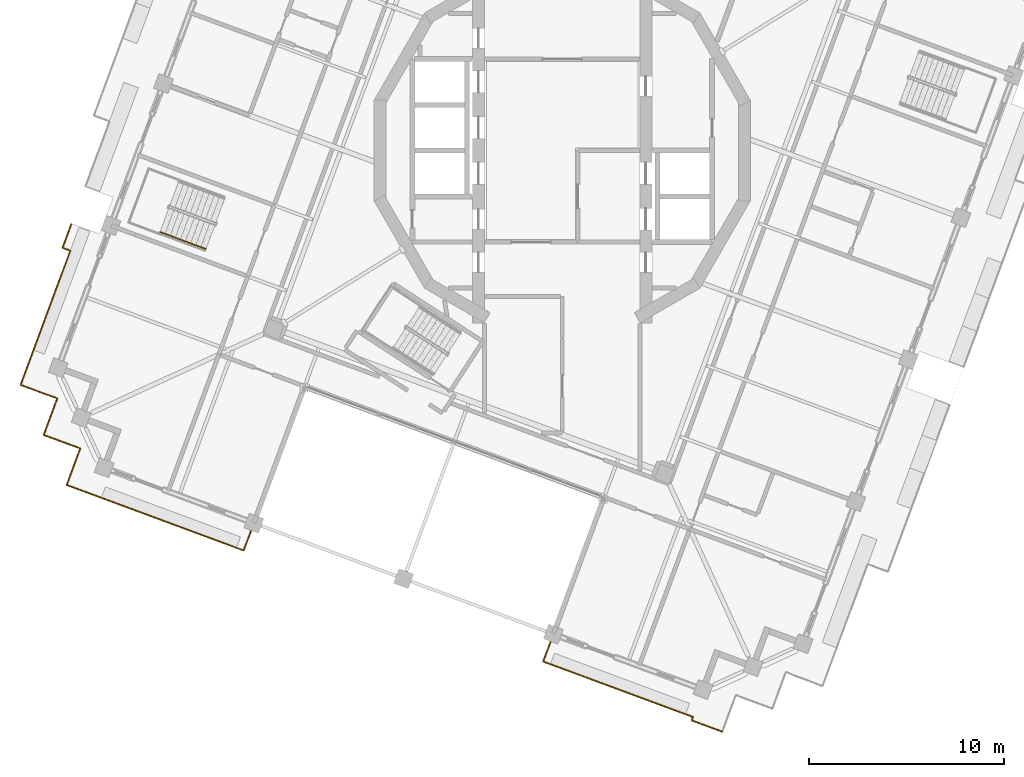
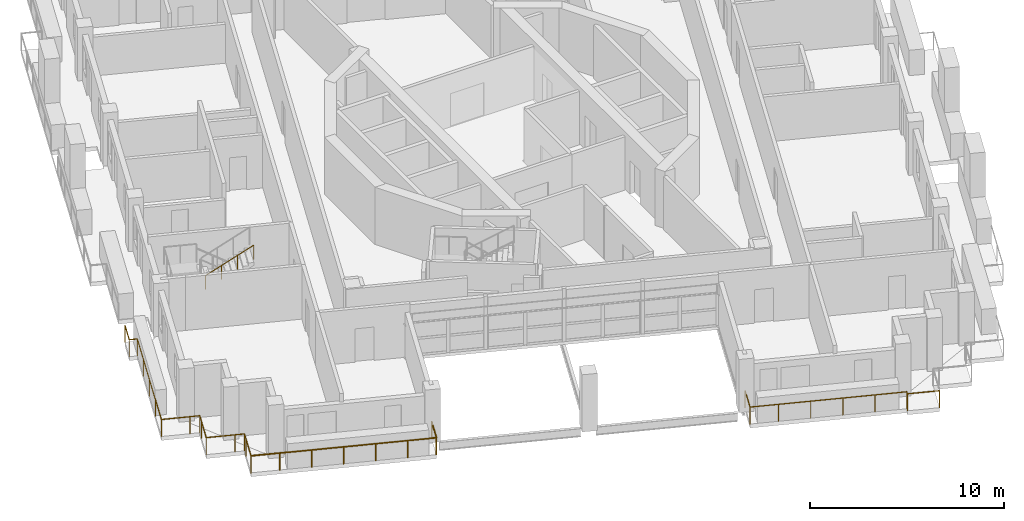
# One storey, part 13 of 19: 4 railings.
"""IFC4 building model written with IfcOpenShell, lengths in metres."""

from ifc_helpers import new_model, si_unit, direction, frame, origin, origin_2d, place, context, subcontext, project, spatial, circle, extrude, material, type_object, element, save


model = new_model("IFC4")

# Units and contexts
model_context = context("Model", 3, precision=1e-05, world=origin(), true_north=direction((0.0, 1.0)))
body_context = subcontext(model_context, "Body", "Model", "MODEL_VIEW")
ifc_project = project(units=[si_unit("LENGTHUNIT", "METRE"), si_unit("AREAUNIT", "SQUARE_METRE"), si_unit("VOLUMEUNIT", "CUBIC_METRE"), si_unit("PLANEANGLEUNIT", "RADIAN"), si_unit("MASSUNIT", "GRAM", prefix="KILO")], contexts=[model_context])

# Site, building, storey
site_placement = place(None, origin())
site = spatial("IfcSite", under=ifc_project, at=site_placement, CompositionType="ELEMENT")
building_placement = place(site_placement, origin())
building = spatial("IfcBuilding", under=site, at=building_placement, Name="Cantera Rosa Tower", CompositionType="ELEMENT")
storey_placement = place(building_placement, frame((0.0, 0.0, 324.10009765625)))
storey = spatial("IfcBuildingStorey", under=building, at=storey_placement, Name="L72", CompositionType="ELEMENT", Elevation=324.10009765625)

# Railings
ifc_material_1 = material(Name="Stainless steel and laminated glass", Category="steel")
railing_type_1 = type_object("IfcRailingType", Name="GUARD 1100", PredefinedType="BALUSTRADE", material=ifc_material_1)
railing_1_placement = place(storey_placement, frame((-25.454345703125, -17.17529296875, 0.0)))
element("IfcRailing", 1, at=railing_1_placement, inside=storey, type_object=railing_type_1, Name="GUARD L72-1", PredefinedType="BALUSTRADE", context=body_context, shape_type="SweptSolid", body=[
    extrude(circle(Radius=0.030029296875, at=origin_2d()), frame((0.0, 0.0, 1.070068359375), z_axis=(0.347499887537, 0.937680024402, 0.0), x_axis=(-0.937680024402, 0.347499887537, 0.0)), (0.0, 0.0, 1.0), 1.5),
    extrude(circle(Radius=0.030029296875, at=origin_2d()), frame((0.521240234375, 1.406494140625, 1.070068359375), z_axis=(0.347696042931, 0.937607306781, 0.0), x_axis=(-0.937607306781, 0.347696042931, 0.0)), (0.0, 0.0, 1.0), 0.5),
    extrude(circle(Radius=0.030029296875, at=origin_2d()), frame((0.695068359375, 1.875244140625, 1.070068359375), z_axis=(-0.937607306781, 0.347696042931, 0.0), x_axis=(-0.347696042931, -0.937607306781, 0.0)), (0.0, 0.0, 1.0), 0.5),
    extrude(circle(Radius=0.030029296875, at=origin_2d()), frame((0.226318359375, 2.049072265625, 1.070068359375), z_axis=(-0.93769967459, 0.347446859641, 0.0), x_axis=(-0.347446859641, -0.93769967459, 0.0)), (0.0, 0.0, 1.0), 1.500244140625),
    extrude(circle(Radius=0.030029296875, at=origin_2d()), frame((-1.180419921875, 2.5703125, 1.070068359375), z_axis=(0.347499887537, 0.937680024402, 0.0), x_axis=(-0.937680024402, 0.347499887537, 0.0)), (0.0, 0.0, 1.0), 1.5),
    extrude(circle(Radius=0.030029296875, at=origin_2d()), frame((-0.6591796875, 3.976806640625, 1.070068359375), z_axis=(0.347696042931, 0.937607306781, 0.0), x_axis=(-0.937607306781, 0.347696042931, 0.0)), (0.0, 0.0, 1.0), 0.5),
    extrude(circle(Radius=0.030029296875, at=origin_2d()), frame((-0.4853515625, 4.445556640625, 1.070068359375), z_axis=(-0.937607306781, 0.347696042931, 0.0), x_axis=(-0.347696042931, -0.937607306781, 0.0)), (0.0, 0.0, 1.0), 0.5),
    extrude(circle(Radius=0.030029296875, at=origin_2d()), frame((-0.9541015625, 4.619384765625, 1.070068359375), z_axis=(-0.378632845721, -0.925546956206, 0.0), x_axis=(0.925546956206, -0.378632845721, 0.0)), (0.0, 0.0, 1.0), 0.005859375),
    extrude(circle(Radius=0.030029296875, at=origin_2d()), frame((-0.956298828125, 4.614013671875, 1.070068359375), z_axis=(-0.937688112969, 0.347478060884, 0.0), x_axis=(-0.347478060884, -0.937688112969, 0.0)), (0.0, 0.0, 1.0), 1.505615234375),
    extrude(circle(Radius=0.030029296875, at=origin_2d()), frame((-2.3681640625, 5.13720703125, 1.070068359375), z_axis=(0.347491761562, 0.93768303581, 0.0), x_axis=(-0.93768303581, 0.347491761562, 0.0)), (0.0, 0.0, 1.0), 7.350341796875),
    extrude(circle(Radius=0.030029296875, at=origin_2d()), frame((0.18603515625, 12.029541015625, 1.070068359375), z_axis=(-0.937584149048, 0.347758484374, 0.0), x_axis=(-0.347758484374, -0.937584149048, 0.0)), (0.0, 0.0, 1.0), 0.4296875),
    extrude(circle(Radius=0.030029296875, at=origin_2d()), frame((-0.216796875, 12.178955078125, 1.070068359375), z_axis=(0.347533658579, 0.937667508318, 0.0), x_axis=(-0.937667508318, 0.347533658579, 0.0)), (0.0, 0.0, 1.0), 1.30517578125),
    extrude(circle(Radius=0.02490234375, at=origin_2d()), origin(), (0.0, 0.0, 1.0), 1.0400390625),
    extrude(circle(Radius=0.02490234375, at=origin_2d()), frame((0.521240234375, 1.406494140625, 0.0)), (0.0, 0.0, 1.0), 1.0400390625),
    extrude(circle(Radius=0.02490234375, at=origin_2d()), frame((0.695068359375, 1.875244140625, 0.0)), (0.0, 0.0, 1.0), 1.0400390625),
    extrude(circle(Radius=0.02490234375, at=origin_2d()), frame((0.226318359375, 2.049072265625, 0.0)), (0.0, 0.0, 1.0), 1.0400390625),
    extrude(circle(Radius=0.02490234375, at=origin_2d()), frame((-1.180419921875, 2.5703125, 0.0)), (0.0, 0.0, 1.0), 1.0400390625),
    extrude(circle(Radius=0.02490234375, at=origin_2d()), frame((-0.6591796875, 3.976806640625, 0.0)), (0.0, 0.0, 1.0), 1.0400390625),
    extrude(circle(Radius=0.02490234375, at=origin_2d()), frame((-0.4853515625, 4.445556640625, 0.0)), (0.0, 0.0, 1.0), 1.0400390625),
    extrude(circle(Radius=0.02490234375, at=origin_2d()), frame((-0.9541015625, 4.619384765625, 0.0)), (0.0, 0.0, 1.0), 1.0400390625),
    extrude(circle(Radius=0.02490234375, at=origin_2d()), frame((-0.956298828125, 4.614013671875, 0.0)), (0.0, 0.0, 1.0), 1.0400390625),
    extrude(circle(Radius=0.02490234375, at=origin_2d()), frame((-2.3681640625, 5.13720703125, 0.0)), (0.0, 0.0, 1.0), 1.0400390625),
    extrude(circle(Radius=0.02490234375, at=origin_2d()), frame((-1.7294921875, 6.8603515625, 0.0)), (0.0, 0.0, 1.0), 1.0400390625),
    extrude(circle(Radius=0.02490234375, at=origin_2d()), frame((-1.091064453125, 8.58349609375, 0.0)), (0.0, 0.0, 1.0), 1.0400390625),
    extrude(circle(Radius=0.02490234375, at=origin_2d()), frame((-0.45263671875, 10.306396484375, 0.0)), (0.0, 0.0, 1.0), 1.0400390625),
    extrude(circle(Radius=0.02490234375, at=origin_2d()), frame((0.18603515625, 12.029541015625, 0.0)), (0.0, 0.0, 1.0), 1.0400390625),
    extrude(circle(Radius=0.02490234375, at=origin_2d()), frame((-0.216796875, 12.178955078125, 0.0)), (0.0, 0.0, 1.0), 1.0400390625),
    extrude(circle(Radius=0.02490234375, at=origin_2d()), frame((0.23681640625, 13.40283203125, 0.0)), (0.0, 0.0, 1.0), 1.0400390625),
])
railing_2_placement = place(storey_placement, frame((-15.844482421875, -19.158203125, 0.0)))
element("IfcRailing", 2, at=railing_2_placement, inside=storey, type_object=railing_type_1, Name="GUARD L72-2", PredefinedType="BALUSTRADE", context=body_context, shape_type="SweptSolid", body=[
    extrude(circle(Radius=0.030029296875, at=origin_2d()), frame((0.0, 0.0, 1.070068359375), z_axis=(-0.347432560301, -0.937704972815, 0.0), x_axis=(0.937704972815, -0.347432560301, 0.0)), (0.0, 0.0, 1.0), 1.47998046875),
    extrude(circle(Radius=0.030029296875, at=origin_2d()), frame((-0.51416015625, -1.3876953125, 1.070068359375), z_axis=(-0.937680024402, 0.347499887537, 0.0), x_axis=(-0.347499887537, -0.937680024402, 0.0)), (0.0, 0.0, 1.0), 1.5),
    extrude(circle(Radius=0.030029296875, at=origin_2d()), frame((-1.920654296875, -0.866455078125, 1.070068359375), z_axis=(-0.937686328856, 0.347482875373, 0.0), x_axis=(-0.347482875373, -0.937686328856, 0.0)), (0.0, 0.0, 1.0), 6.699951171875),
    extrude(circle(Radius=0.030029296875, at=origin_2d()), frame((-8.203125, 1.461669921875, 1.070068359375), z_axis=(-0.93769967459, 0.347446859641, 0.0), x_axis=(-0.347446859641, -0.93769967459, 0.0)), (0.0, 0.0, 1.0), 1.500244140625),
    extrude(circle(Radius=0.02490234375, at=origin_2d()), origin(), (0.0, 0.0, 1.0), 1.0400390625),
    extrude(circle(Radius=0.02490234375, at=origin_2d()), frame((-0.51416015625, -1.3876953125, 0.0)), (0.0, 0.0, 1.0), 1.0400390625),
    extrude(circle(Radius=0.02490234375, at=origin_2d()), frame((-1.920654296875, -0.866455078125, 0.0)), (0.0, 0.0, 1.0), 1.0400390625),
    extrude(circle(Radius=0.02490234375, at=origin_2d()), frame((-3.4912109375, -0.284423828125, 0.0)), (0.0, 0.0, 1.0), 1.0400390625),
    extrude(circle(Radius=0.02490234375, at=origin_2d()), frame((-5.06201171875, 0.297607421875, 0.0)), (0.0, 0.0, 1.0), 1.0400390625),
    extrude(circle(Radius=0.02490234375, at=origin_2d()), frame((-6.632568359375, 0.879638671875, 0.0)), (0.0, 0.0, 1.0), 1.0400390625),
    extrude(circle(Radius=0.02490234375, at=origin_2d()), frame((-8.203125, 1.461669921875, 0.0)), (0.0, 0.0, 1.0), 1.0400390625),
    extrude(circle(Radius=0.02490234375, at=origin_2d()), frame((-9.60986328125, 1.98291015625, 0.0)), (0.0, 0.0, 1.0), 1.0400390625),
])
railing_3_placement = place(storey_placement, frame((8.225341796875, -29.85546875, 0.0)))
element("IfcRailing", 3, at=railing_3_placement, inside=storey, type_object=railing_type_1, Name="GUARD L72-5", PredefinedType="BALUSTRADE", context=body_context, shape_type="SweptSolid", body=[
    extrude(circle(Radius=0.030029296875, at=origin_2d()), frame((0.0, 0.0, 1.070068359375), z_axis=(-0.937684149969, 0.347488755066, 0.0), x_axis=(-0.347488755066, -0.937684149969, 0.0)), (0.0, 0.0, 1.0), 1.68701171875),
    extrude(circle(Radius=0.030029296875, at=origin_2d()), frame((-1.581787109375, 0.586181640625, 1.070068359375), z_axis=(0.347399426404, 0.937717248713, 0.0), x_axis=(-0.937717248713, 0.347399426404, 0.0)), (0.0, 0.0, 1.0), 0.18701171875),
    extrude(circle(Radius=0.030029296875, at=origin_2d()), frame((-1.516845703125, 0.761474609375, 1.070068359375), z_axis=(-0.937686328856, 0.347482875373, 0.0), x_axis=(-0.347482875373, -0.937686328856, 0.0)), (0.0, 0.0, 1.0), 6.699951171875),
    extrude(circle(Radius=0.030029296875, at=origin_2d()), frame((-7.79931640625, 3.089599609375, 1.070068359375), z_axis=(-0.93769967459, 0.347446859641, 0.0), x_axis=(-0.347446859641, -0.93769967459, 0.0)), (0.0, 0.0, 1.0), 1.500244140625),
    extrude(circle(Radius=0.030029296875, at=origin_2d()), frame((-9.2060546875, 3.61083984375, 1.070068359375), z_axis=(0.347577606798, 0.937651218339, 0.0), x_axis=(-0.937651218339, 0.347577606798, 0.0)), (0.0, 0.0, 1.0), 1.47998046875),
    extrude(circle(Radius=0.02490234375, at=origin_2d()), origin(), (0.0, 0.0, 1.0), 1.0400390625),
    extrude(circle(Radius=0.02490234375, at=origin_2d()), frame((-1.581787109375, 0.586181640625, 0.0)), (0.0, 0.0, 1.0), 1.0400390625),
    extrude(circle(Radius=0.02490234375, at=origin_2d()), frame((-1.516845703125, 0.761474609375, 0.0)), (0.0, 0.0, 1.0), 1.0400390625),
    extrude(circle(Radius=0.02490234375, at=origin_2d()), frame((-3.08740234375, 1.343505859375, 0.0)), (0.0, 0.0, 1.0), 1.0400390625),
    extrude(circle(Radius=0.02490234375, at=origin_2d()), frame((-4.658203125, 1.925537109375, 0.0)), (0.0, 0.0, 1.0), 1.0400390625),
    extrude(circle(Radius=0.02490234375, at=origin_2d()), frame((-6.228759765625, 2.507568359375, 0.0)), (0.0, 0.0, 1.0), 1.0400390625),
    extrude(circle(Radius=0.02490234375, at=origin_2d()), frame((-7.79931640625, 3.089599609375, 0.0)), (0.0, 0.0, 1.0), 1.0400390625),
    extrude(circle(Radius=0.02490234375, at=origin_2d()), frame((-9.2060546875, 3.61083984375, 0.0)), (0.0, 0.0, 1.0), 1.0400390625),
    extrude(circle(Radius=0.02490234375, at=origin_2d()), frame((-8.691650390625, 4.99853515625, 0.0)), (0.0, 0.0, 1.0), 1.0400390625),
])
ifc_material_2 = material(Name="Steel S355J2 (EN 10025-2)", Category="steel")
railing_type_2 = type_object("IfcRailingType", Name="STAIR HANDRAIL 900", PredefinedType="HANDRAIL", material=ifc_material_2)
railing_4_placement = place(storey_placement, frame((-20.660400390625, -4.181396484375, 1.97998046875)))
element("IfcRailing", 4, at=railing_4_placement, inside=storey, type_object=railing_type_2, Name="L72 ST-63 stair handrail 2", PredefinedType="HANDRAIL", context=body_context, shape_type="SweptSolid", body=[
    extrude(circle(Radius=0.02392578125, at=origin_2d()), frame((0.0, 0.0, 0.8759765625), z_axis=(0.78878233546, -0.292319685639, 0.540713998944), x_axis=(0.347500508527, 0.937679794265, 0.0)), (0.0, 0.0, 1.0), 2.995849609375),
    extrude(circle(Radius=0.02099609375, at=origin_2d()), origin(), (0.0, 0.0, 1.0), 0.851806640625),
    extrude(circle(Radius=0.02099609375, at=origin_2d()), frame((0.78759765625, -0.2919921875, 0.5400390625)), (0.0, 0.0, 1.0), 0.851806640625),
    extrude(circle(Radius=0.02099609375, at=origin_2d()), frame((1.575439453125, -0.583740234375, 1.079833984375)), (0.0, 0.0, 1.0), 0.851806640625),
    extrude(circle(Radius=0.02099609375, at=origin_2d()), frame((2.363037109375, -0.875732421875, 1.619873046875)), (0.0, 0.0, 1.0), 0.851806640625),
])

save(model, "model.ifc")
